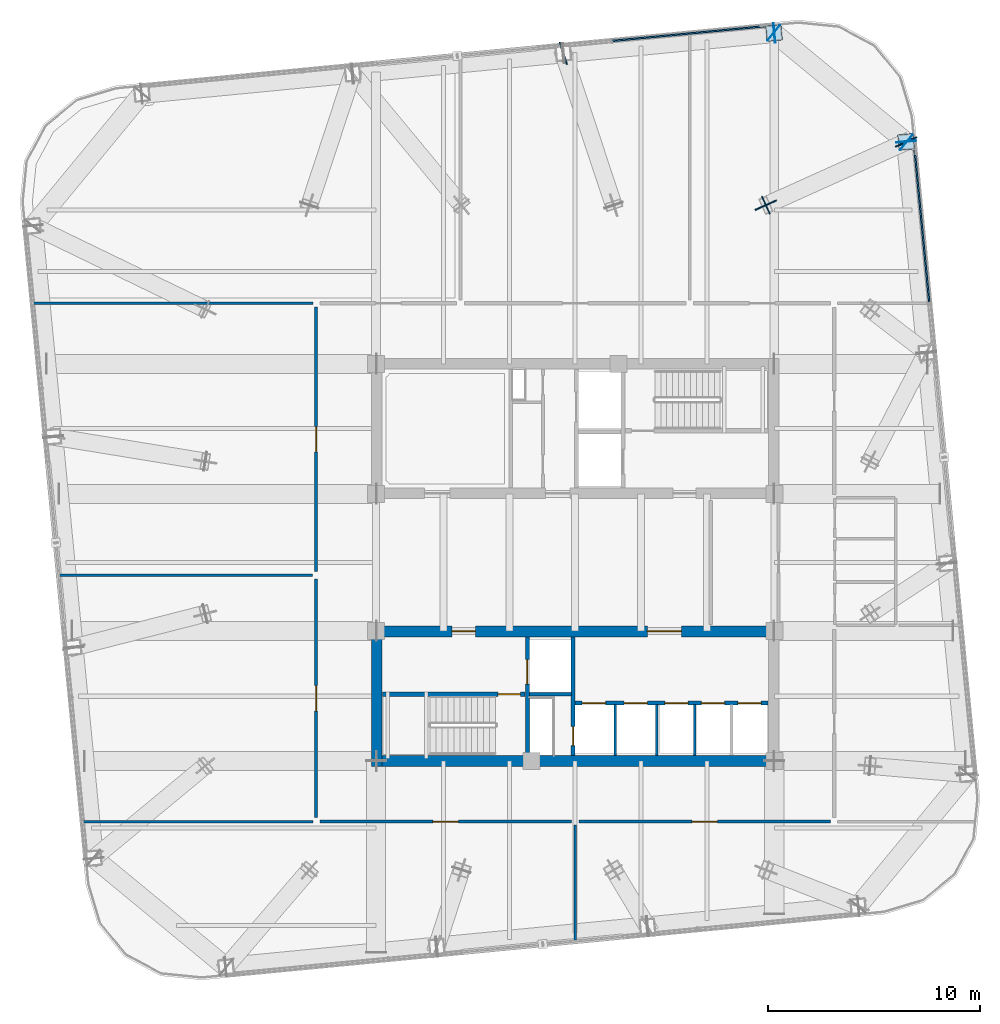
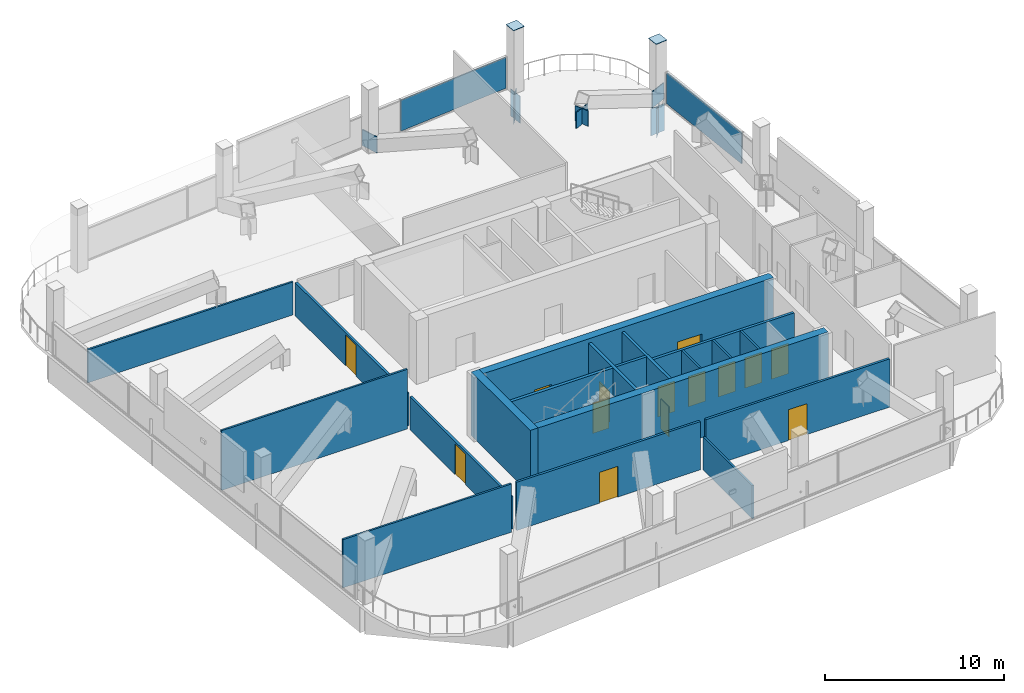
# One storey, part 16 of 22: 19 walls, 14 doors, 12 plates, 14 openings, 2 elements without a shape of their own.
"""IFC4 building model written with IfcOpenShell, lengths in metres."""

from ifc_helpers import new_model, si_unit, direction, frame, frame_2d, origin, origin_2d, place, context, subcontext, project, spatial, rectangle, extrude, material, layer, layer_set, type_object, element, fill, aggregate, save


model = new_model("IFC4")

# Units and contexts
model_context = context("Model", 3, precision=1e-05, world=origin(), true_north=direction((0.0, 1.0)))
body_context = subcontext(model_context, "Body", "Model", "MODEL_VIEW")
ifc_project = project(units=[si_unit("LENGTHUNIT", "METRE"), si_unit("AREAUNIT", "SQUARE_METRE"), si_unit("VOLUMEUNIT", "CUBIC_METRE"), si_unit("PLANEANGLEUNIT", "RADIAN"), si_unit("MASSUNIT", "GRAM", prefix="KILO")], contexts=[model_context])

# Site, building, storey
site_placement = place(None, origin())
site = spatial("IfcSite", under=ifc_project, at=site_placement, CompositionType="ELEMENT")
building_placement = place(site_placement, origin())
building = spatial("IfcBuilding", under=site, at=building_placement, Name="Qhalaya Broadcast Tower", CompositionType="ELEMENT")
storey_placement = place(building_placement, frame((0.0, 0.0, 183.60009765625)))
storey = spatial("IfcBuildingStorey", under=building, at=storey_placement, Name="L54", CompositionType="ELEMENT", Elevation=183.60009765625)

# Plates
ifc_material_1 = material(Name="Structural Steel ASTM A572 Grade 50", Category="steel")
ifc_layer_1 = layer(ifc_material_1, 0.054931640625, Name="Structural Steel ASTM A572 Grade 50")
ifc_layer_set_1 = layer_set([ifc_layer_1], Name="Structural Steel ASTM A572 Grade 50")
plate_type_1 = type_object("IfcPlateType", Name="Exoskeleton Diamond Node Gusset Plate NP-01", PredefinedType="USERDEFINED", material=ifc_layer_set_1)
for number, where, z_axis, x_axis, name in (
    (1, (15.58203125, 20.400390625, -0.000244140625), (0.0, 0.0, 1.0), (-0.911432003536, -0.41145072965, 0.0), "L54 Strut Foot Gusset Plate 09"),
    (2, (8.97998046875, 17.419921875, 2.7099609375), (0.0, 0.0, 1.0), (-0.911432003536, -0.41145072965, 0.0), "L54 Strut Head Gusset Plate 09"),
    (3, (-0.558837890625, 24.572509765625, -0.000244140625), (0.0, 0.0, 1.0), (0.314787734517, -0.949162094796, 0.0), "L54 Strut Foot Gusset Plate 10"),
):
    element("IfcPlate", number, at=place(storey_placement, frame(where, z_axis=z_axis, x_axis=x_axis)), inside=storey, type_object=plate_type_1, Name=name, ObjectType="GUSSET_PLATE", PredefinedType="USERDEFINED", context=body_context, shape_type="SweptSolid", body=[
        extrude(rectangle(XDim=1.10009765625, YDim=0.06005859375, at=origin_2d()), origin(), (0.0, 0.0, 1.0), 1.10009765625),
    ])
ifc_layer_2 = layer(ifc_material_1, 0.4599609375, Name="Structural Steel ASTM A572 Grade 50")
ifc_layer_set_2 = layer_set([ifc_layer_2], Name="Structural Steel ASTM A572 Grade 50")
plate_type_2 = type_object("IfcPlateType", Name="Hollow Box Member End Cap Plate CP-01", PredefinedType="USERDEFINED", material=ifc_layer_set_2)
for number, where, z_axis, x_axis, name in (
    (4, (15.58056640625, 20.416259765625, -2.0400390625), (0.0, 0.0, 1.0), (-0.995396198367, -0.09584575252, 0.0), "L54 Hollow Girder End Cap L54-SPR-07-B"),
    (5, (15.59423828125, 20.39013671875, -2.0400390625), (0.0, 0.0, 1.0), (-0.636078220278, -0.771624583388, 0.0), "L54 Hollow Girder End Cap L54-SPR-08-A"),
    (6, (9.349609375, 25.5380859375, -2.0400390625), (0.0, 0.0, 1.0), (-0.636078220278, -0.771624583388, 0.0), "L54 Hollow Girder End Cap L54-SPR-08-B"),
    (7, (9.3779296875, 25.529296875, -2.0400390625), (0.0, 0.0, 1.0), (0.09584575252, -0.995396198367, 0.0), "L54 Hollow Girder End Cap L54-SPR-09-A"),
):
    element("IfcPlate", number, at=place(storey_placement, frame(where, z_axis=z_axis, x_axis=x_axis)), inside=storey, type_object=plate_type_2, Name=name, ObjectType="COVER_PLATE", PredefinedType="USERDEFINED", context=body_context, shape_type="SweptSolid", body=[
        extrude(rectangle(XDim=0.93994140625, YDim=0.031982421875, at=origin_2d()), origin(), (0.0, 0.0, 1.0), 1.840087890625),
    ])
for number, where, z_axis, x_axis, name in (
    (8, (15.58203125, 20.400390625, 4.35009765625), (0.0, 0.0, 1.0), (-0.09584575252, 0.995396198367, 0.0), "L54 Hollow Box Column Top Cap Plate COL-EX08"),
    (9, (9.362060546875, 25.52783203125, 4.35009765625), (0.0, 0.0, 1.0), (0.995396198367, 0.09584575252, 0.0), "L54 Hollow Box Column Top Cap Plate COL-EX09"),
):
    element("IfcPlate", number, at=place(storey_placement, frame(where, z_axis=z_axis, x_axis=x_axis)), inside=storey, type_object=plate_type_2, Name=name, ObjectType="COVER_PLATE", PredefinedType="USERDEFINED", context=body_context, shape_type="SweptSolid", body=[
        extrude(rectangle(XDim=0.739990234375, YDim=0.739990234375, at=origin_2d()), origin(), (0.0, 0.0, 1.0), 0.031982421875),
    ])

# Curtain wall, plate
ifc_material_2 = material(Name="Fired Architectural Terracotta", Category="masonry")
ifc_layer_3 = layer(ifc_material_2, 0.219970703125, Name="Fired Architectural Terracotta")
ifc_layer_set_3 = layer_set([ifc_layer_3], Name="Fired Architectural Terracotta")
curtain_wall_type = type_object("IfcCurtainWallType", Name="Block-Cap Unitised Terracotta Spandrel Wall CW-07", PredefinedType="NOTDEFINED", material=ifc_layer_set_3)
curtain_wall_1_placement = place(storey_placement, origin())
curtain_wall_1 = element("IfcCurtainWall", 10, at=curtain_wall_1_placement, inside=storey, type_object=curtain_wall_type, Name="L54 Unitised Curtain Wall L54-CW-E", PredefinedType="NOTDEFINED")
ifc_layer_4 = layer(ifc_material_2, 0.080078125, Name="Fired Architectural Terracotta")
ifc_layer_set_4 = layer_set([ifc_layer_4], Name="Fired Architectural Terracotta")
plate_type_3 = type_object("IfcPlateType", Name="Insulated Terracotta Spandrel Panel TSP-07", PredefinedType="CURTAIN_PANEL", material=ifc_layer_set_4)
plate_1_placement = place(storey_placement, frame((16.32470703125, 16.443603515625, 0.074951171875), z_axis=(0.0, 0.0, 1.0), x_axis=(0.095846069906, -0.995396167806, 0.0)))
plate_1 = element("IfcPlate", 11, at=plate_1_placement, type_object=plate_type_3, Name="CW-07 panel 1.1", PredefinedType="CURTAIN_PANEL", context=body_context, shape_type="SweptSolid", body=[
    extrude(rectangle(XDim=7.193603515625, YDim=0.080078125, at=origin_2d()), origin(), (0.0, 0.0, 1.0), 2.10009765625),
])
aggregate(curtain_wall_1, [plate_1])

curtain_wall_2_placement = place(storey_placement, origin())
curtain_wall_2 = element("IfcCurtainWall", 12, at=curtain_wall_2_placement, inside=storey, type_object=curtain_wall_type, Name="L54 Unitised Curtain Wall L54-CW-N", PredefinedType="NOTDEFINED")
plate_2_placement = place(storey_placement, frame((5.336181640625, 25.501953125, 0.074951171875), z_axis=(0.0, 0.0, 1.0), x_axis=(0.995396167806, 0.095846069906, 0.0)))
plate_2 = element("IfcPlate", 13, at=plate_2_placement, type_object=plate_type_3, Name="CW-07 panel 4.1", PredefinedType="CURTAIN_PANEL", context=body_context, shape_type="SweptSolid", body=[
    extrude(rectangle(XDim=7.193603515625, YDim=0.080078125, at=origin_2d()), origin(), (0.0, 0.0, 1.0), 2.10009765625),
])
aggregate(curtain_wall_2, [plate_2])

# Plate
ifc_layer_5 = layer(ifc_material_1, 0.044921875, Name="Structural Steel ASTM A572 Grade 50")
ifc_layer_set_5 = layer_set([ifc_layer_5], Name="Structural Steel ASTM A572 Grade 50")
plate_type_4 = type_object("IfcPlateType", Name="Transfer Girder Web Stiffener Plate WS-01", PredefinedType="USERDEFINED", material=ifc_layer_set_5)
plate_3_placement = place(storey_placement, frame((8.97998046875, 17.419921875, 2.73486328125), z_axis=(0.0, 0.0, 1.0), x_axis=(0.41145072965, -0.911432003536, 0.0)))
element("IfcPlate", 14, at=plate_3_placement, inside=storey, type_object=plate_type_4, Name="L54 Strut Head Cross Diaphragm Plate 09", ObjectType="STIFFENER_PLATE", PredefinedType="USERDEFINED", context=body_context, shape_type="SweptSolid", body=[
    extrude(rectangle(XDim=0.89990234375, YDim=0.044921875, at=origin_2d()), origin(), (0.0, 0.0, 1.0), 1.050048828125),
])

# Wall, opening, door
ifc_material_3 = material(Name="Gypsum Acoustic Partition")
ifc_layer_6 = layer(ifc_material_3, 0.14990234375, Name="Gypsum Acoustic Partition")
ifc_layer_set_6 = layer_set([ifc_layer_6], Name="Gypsum Acoustic Partition")
wall_type_1 = type_object("IfcWallType", Name="Corridor & Tenancy Acoustic Partition 150", PredefinedType="PARTITIONING", material=ifc_layer_set_6)
wall_1_placement = place(storey_placement, frame((-12.02001953125, -11.60009765625, 0.0), z_axis=(0.0, 0.0, 1.0), x_axis=(1.0, 0.0, 0.0)))
wall_1 = element("IfcWall", 15, at=wall_1_placement, inside=storey, type_object=wall_type_1, Name="L54 Partition Wall W-COR-04", PredefinedType="PARTITIONING", context=body_context, shape_type="SweptSolid", body=[
    extrude(rectangle(XDim=11.840087890625, YDim=0.14990234375, at=frame_2d((5.919921875, 0.0))), origin(), (0.0, 0.0, 1.0), 3.287841796875),
])
opening_1_placement = place(wall_1_placement, frame((5.320068359375, 0.0, 0.0)))
opening_1 = element("IfcOpeningElement", 16, at=opening_1_placement, cuts=wall_1, Name="Opening D11", PredefinedType="OPENING", context=body_context, shape_type="SweptSolid", body=[
    extrude(rectangle(XDim=1.199951171875, YDim=2.10009765625, at=frame_2d((0.60009765625, 1.050048828125))), frame((0.0, 0.0869140625, 0.0), z_axis=(0.0, -1.0, 0.0), x_axis=(1.0, 0.0, 0.0)), (0.0, 0.0, 1.0), 0.173828125),
])
ifc_material_4 = material(Name="Anodised Aluminium Glazed Door", Category="aluminium")
door_type_1 = type_object("IfcDoorType", Name="Conference, Boardroom & Studio Control Door D11", OperationType="NOTDEFINED", PredefinedType="DOOR", material=ifc_material_4)
door_1_placement = place(opening_1_placement, origin())
door_1 = element("IfcDoor", 17, at=door_1_placement, inside=storey, type_object=door_type_1, Name="L54 Door D-RM04", OperationType="SINGLE_SWING_LEFT", OverallHeight=2.10009765625, OverallWidth=1.199951171875, PredefinedType="DOOR", context=body_context, shape_type="SweptSolid", body=[
    extrude(rectangle(XDim=1.199951171875, YDim=2.10009765625, at=frame_2d((0.60009765625, 1.050048828125))), frame((0.0, 0.02490234375, 0.0), z_axis=(0.0, -1.0, 0.0), x_axis=(1.0, 0.0, 0.0)), (0.0, 0.0, 1.0), 0.050048828125),
])
fill(opening_1, door_1)

wall_2_placement = place(storey_placement, frame((0.179931640625, -11.60009765625, 0.0), z_axis=(0.0, 0.0, 1.0), x_axis=(1.0, 0.0, 0.0)))
wall_2 = element("IfcWall", 18, at=wall_2_placement, inside=storey, type_object=wall_type_1, Name="L54 Partition Wall W-COR-05", PredefinedType="PARTITIONING", context=body_context, shape_type="SweptSolid", body=[
    extrude(rectangle(XDim=11.840087890625, YDim=0.14990234375, at=frame_2d((5.919921875, 0.0))), origin(), (0.0, 0.0, 1.0), 3.287841796875),
])
opening_2_placement = place(wall_2_placement, frame((5.320068359375, 0.0, 0.0)))
opening_2 = element("IfcOpeningElement", 19, at=opening_2_placement, cuts=wall_2, Name="Opening D11", PredefinedType="OPENING", context=body_context, shape_type="SweptSolid", body=[
    extrude(rectangle(XDim=1.199951171875, YDim=2.10009765625, at=frame_2d((0.60009765625, 1.050048828125))), frame((0.0, 0.0869140625, 0.0), z_axis=(0.0, -1.0, 0.0), x_axis=(1.0, 0.0, 0.0)), (0.0, 0.0, 1.0), 0.173828125),
])
door_2_placement = place(opening_2_placement, origin())
door_2 = element("IfcDoor", 20, at=door_2_placement, inside=storey, type_object=door_type_1, Name="L54 Door D-RM05", OperationType="SINGLE_SWING_RIGHT", OverallHeight=2.10009765625, OverallWidth=1.199951171875, PredefinedType="DOOR", context=body_context, shape_type="SweptSolid", body=[
    extrude(rectangle(XDim=1.199951171875, YDim=2.10009765625, at=frame_2d((0.60009765625, 1.050048828125))), frame((0.0, 0.02490234375, 0.0), z_axis=(0.0, -1.0, 0.0), x_axis=(1.0, 0.0, 0.0)), (0.0, 0.0, 1.0), 0.050048828125),
])
fill(opening_2, door_2)

wall_3_placement = place(storey_placement, frame((-12.199951171875, -11.419921875, 0.0), z_axis=(0.0, 0.0, 1.0), x_axis=(0.0, 1.0, 0.0)))
wall_3 = element("IfcWall", 21, at=wall_3_placement, inside=storey, type_object=wall_type_1, Name="L54 Partition Wall W-COR-06", PredefinedType="PARTITIONING", context=body_context, shape_type="SweptSolid", body=[
    extrude(rectangle(XDim=11.239990234375, YDim=0.14990234375, at=frame_2d((5.6201171875, 0.0))), origin(), (0.0, 0.0, 1.0), 2.25),
])
opening_3_placement = place(wall_3_placement, frame((5.02001953125, 0.0, 0.0)))
opening_3 = element("IfcOpeningElement", 22, at=opening_3_placement, cuts=wall_3, Name="Opening D11", PredefinedType="OPENING", context=body_context, shape_type="SweptSolid", body=[
    extrude(rectangle(XDim=1.199951171875, YDim=2.10009765625, at=frame_2d((0.60009765625, 1.050048828125))), frame((0.0, 0.0869140625, 0.0), z_axis=(0.0, -1.0, 0.0), x_axis=(1.0, 0.0, 0.0)), (0.0, 0.0, 1.0), 0.173828125),
])
door_3_placement = place(opening_3_placement, origin())
door_3 = element("IfcDoor", 23, at=door_3_placement, inside=storey, type_object=door_type_1, Name="L54 Door D-RM06", OperationType="SINGLE_SWING_LEFT", OverallHeight=2.10009765625, OverallWidth=1.199951171875, PredefinedType="DOOR", context=body_context, shape_type="SweptSolid", body=[
    extrude(rectangle(XDim=1.199951171875, YDim=2.10009765625, at=frame_2d((0.60009765625, 1.050048828125))), frame((0.0, 0.02490234375, 0.0), z_axis=(0.0, -1.0, 0.0), x_axis=(1.0, 0.0, 0.0)), (0.0, 0.0, 1.0), 0.050048828125),
])
fill(opening_3, door_3)

wall_4_placement = place(storey_placement, frame((-12.199951171875, 0.179931640625, 0.0), z_axis=(0.0, 0.0, 1.0), x_axis=(0.0, 1.0, 0.0)))
wall_4 = element("IfcWall", 24, at=wall_4_placement, inside=storey, type_object=wall_type_1, Name="L54 Partition Wall W-COR-07", PredefinedType="PARTITIONING", context=body_context, shape_type="SweptSolid", body=[
    extrude(rectangle(XDim=12.440185546875, YDim=0.14990234375, at=frame_2d((6.22021484375, 0.0))), origin(), (0.0, 0.0, 1.0), 2.25),
])
opening_4_placement = place(wall_4_placement, frame((5.6201171875, 0.0, 0.0)))
opening_4 = element("IfcOpeningElement", 25, at=opening_4_placement, cuts=wall_4, Name="Opening D11", PredefinedType="OPENING", context=body_context, shape_type="SweptSolid", body=[
    extrude(rectangle(XDim=1.199951171875, YDim=2.10009765625, at=frame_2d((0.60009765625, 1.050048828125))), frame((0.0, 0.0869140625, 0.0), z_axis=(0.0, -1.0, 0.0), x_axis=(1.0, 0.0, 0.0)), (0.0, 0.0, 1.0), 0.173828125),
])
door_4_placement = place(opening_4_placement, origin())
door_4 = element("IfcDoor", 26, at=door_4_placement, inside=storey, type_object=door_type_1, Name="L54 Door D-RM07", OperationType="SINGLE_SWING_RIGHT", OverallHeight=2.10009765625, OverallWidth=1.199951171875, PredefinedType="DOOR", context=body_context, shape_type="SweptSolid", body=[
    extrude(rectangle(XDim=1.199951171875, YDim=2.10009765625, at=frame_2d((0.60009765625, 1.050048828125))), frame((0.0, 0.02490234375, 0.0), z_axis=(0.0, -1.0, 0.0), x_axis=(1.0, 0.0, 0.0)), (0.0, 0.0, 1.0), 0.050048828125),
])
fill(opening_4, door_4)

ifc_material_5 = material(Name="Concrete C50/60", Category="concrete")
ifc_layer_7 = layer(ifc_material_5, 0.199951171875, Name="Concrete C50/60")
ifc_layer_set_7 = layer_set([ifc_layer_7], Name="Concrete C50/60")
wall_type_2 = type_object("IfcWallType", Name="Load-Bearing Stair Shaft Wall 200", PredefinedType="SHEAR", material=ifc_layer_set_7)
wall_5_placement = place(storey_placement, frame((-9.080078125, -5.60498046875, 0.0), z_axis=(0.0, 0.0, 1.0), x_axis=(1.0, 0.0, 0.0)))
wall_5 = element("IfcWall", 27, at=wall_5_placement, inside=storey, type_object=wall_type_2, Name="L54 Stair Core Shear Wall SCW-ST2", PredefinedType="SHEAR", context=body_context, shape_type="SweptSolid", body=[
    extrude(rectangle(XDim=6.719970703125, YDim=0.199951171875, at=frame_2d((3.35986328125, 0.0))), origin(), (0.0, 0.0, 1.0), 4.06982421875),
])
opening_5_placement = place(wall_5_placement, frame((5.449951171875, 0.0, 0.0)))
opening_5 = element("IfcOpeningElement", 28, at=opening_5_placement, cuts=wall_5, Name="Opening D03", PredefinedType="OPENING", context=body_context, shape_type="SweptSolid", body=[
    extrude(rectangle(XDim=1.050048828125, YDim=2.080078125, at=frame_2d((0.52490234375, 1.0400390625))), frame((0.0, 0.112060546875, 0.0), z_axis=(0.0, -1.0, 0.0), x_axis=(1.0, 0.0, 0.0)), (0.0, 0.0, 1.0), 0.223876953125),
])
ifc_material_6 = material(Name="Fire-Rated Steel Door", Category="steel")
door_type_2 = type_object("IfcDoorType", Name="Core Stair Protected Fire Door D03", OperationType="NOTDEFINED", PredefinedType="DOOR", material=ifc_material_6)
door_5_placement = place(opening_5_placement, origin())
door_5 = element("IfcDoor", 29, at=door_5_placement, inside=storey, type_object=door_type_2, Name="L54 Door D-SST2", OperationType="SINGLE_SWING_RIGHT", OverallHeight=2.080078125, OverallWidth=1.050048828125, PredefinedType="DOOR", context=body_context, shape_type="SweptSolid", body=[
    extrude(rectangle(XDim=1.050048828125, YDim=2.080078125, at=frame_2d((0.52490234375, 1.0400390625))), frame((0.0, 0.02490234375, 0.0), z_axis=(0.0, -1.0, 0.0), x_axis=(1.0, 0.0, 0.0)), (0.0, 0.0, 1.0), 0.050048828125),
])
fill(opening_5, door_5)

wall_6_placement = place(storey_placement, frame((-2.25, -8.47998046875, 0.0), z_axis=(0.0, 0.0, 1.0), x_axis=(0.0, 1.0, 0.0)))
wall_6 = element("IfcWall", 30, at=wall_6_placement, inside=storey, type_object=wall_type_2, Name="L54 Stair Core Shear Wall SCW-FF", PredefinedType="SHEAR", context=body_context, shape_type="SweptSolid", body=[
    extrude(rectangle(XDim=5.56005859375, YDim=0.199951171875, at=frame_2d((2.780029296875, 0.0))), origin(), (0.0, 0.0, 1.0), 4.06982421875),
])
opening_6_placement = place(wall_6_placement, frame((3.35009765625, 0.0, 0.0)))
opening_6 = element("IfcOpeningElement", 31, at=opening_6_placement, cuts=wall_6, Name="Opening LD2", PredefinedType="OPENING", context=body_context, shape_type="SweptSolid", body=[
    extrude(rectangle(XDim=1.14990234375, YDim=2.080078125, at=frame_2d((0.574951171875, 1.0400390625))), frame((0.0, 0.112060546875, 0.0), z_axis=(0.0, -1.0, 0.0), x_axis=(1.0, 0.0, 0.0)), (0.0, 0.0, 1.0), 0.223876953125),
])
ifc_material_7 = material(Name="Brushed Stainless Steel Lift Door", Category="steel")
door_type_3 = type_object("IfcDoorType", Name="Firefighting Lift Sliding Landing Door LD2", OperationType="DOUBLE_DOOR_SLIDING", PredefinedType="DOOR", material=ifc_material_7)
door_6_placement = place(opening_6_placement, origin())
door_6 = element("IfcDoor", 32, at=door_6_placement, inside=storey, type_object=door_type_3, Name="L54 Door LD-FF2", OperationType="DOUBLE_DOOR_SLIDING", OverallHeight=2.080078125, OverallWidth=1.14990234375, PredefinedType="DOOR", context=body_context, shape_type="SweptSolid", body=[
    extrude(rectangle(XDim=1.14990234375, YDim=2.080078125, at=frame_2d((0.574951171875, 1.0400390625))), frame((0.0, 0.02490234375, 0.0), z_axis=(0.0, -1.0, 0.0), x_axis=(1.0, 0.0, 0.0)), (0.0, 0.0, 1.0), 0.050048828125),
])
fill(opening_6, door_6)

# Wall
ifc_layer_8 = layer(ifc_material_5, 0.5, Name="Concrete C50/60")
ifc_layer_set_8 = layer_set([ifc_layer_8], Name="Concrete C50/60")
wall_type_3 = type_object("IfcWallType", Name="Mid Split-Core Shear Wall 500", PredefinedType="SHEAR", material=ifc_layer_set_8)
wall_7_placement = place(storey_placement, frame((-9.60009765625, -8.75, 0.0), z_axis=(0.0, 0.0, 1.0), x_axis=(1.0, 0.0, 0.0)))
element("IfcWall", 33, at=wall_7_placement, inside=storey, type_object=wall_type_3, Name="L54 Split-Core Shear Wall CW-SS", PredefinedType="SHEAR", context=body_context, shape_type="SweptSolid", body=[
    extrude(rectangle(XDim=19.2001953125, YDim=0.5, at=frame_2d((9.60009765625, 0.0))), origin(), (0.0, 0.0, 1.0), 4.349853515625),
])

# Wall, openings, doors
wall_8_placement = place(storey_placement, frame((-9.60009765625, -2.64990234375, 0.0), z_axis=(0.0, 0.0, 1.0), x_axis=(1.0, 0.0, 0.0)))
wall_8 = element("IfcWall", 34, at=wall_8_placement, inside=storey, type_object=wall_type_3, Name="L54 Split-Core Shear Wall CW-SN", PredefinedType="SHEAR", context=body_context, shape_type="SweptSolid", body=[
    extrude(rectangle(XDim=19.2001953125, YDim=0.5, at=frame_2d((9.60009765625, 0.0))), origin(), (0.0, 0.0, 1.0), 4.349853515625),
])
opening_7_placement = place(wall_8_placement, frame((3.800048828125, 0.0, 0.0)))
opening_7 = element("IfcOpeningElement", 35, at=opening_7_placement, cuts=wall_8, Name="Opening D04", PredefinedType="OPENING", context=body_context, shape_type="SweptSolid", body=[
    extrude(rectangle(XDim=1.10009765625, YDim=2.080078125, at=frame_2d((0.550048828125, 1.0400390625))), frame((0.0, 0.261962890625, 0.0), z_axis=(0.0, -1.0, 0.0), x_axis=(1.0, 0.0, 0.0)), (0.0, 0.0, 1.0), 0.52392578125),
])
opening_8_placement = place(wall_8_placement, frame((13.0, 0.0, 0.0)))
opening_8 = element("IfcOpeningElement", 36, at=opening_8_placement, cuts=wall_8, Name="Opening D07", PredefinedType="OPENING", context=body_context, shape_type="SweptSolid", body=[
    extrude(rectangle(XDim=1.60009765625, YDim=2.1201171875, at=frame_2d((0.800048828125, 1.06005859375))), frame((0.0, 0.261962890625, 0.0), z_axis=(0.0, -1.0, 0.0), x_axis=(1.0, 0.0, 0.0)), (0.0, 0.0, 1.0), 0.52392578125),
])
door_type_4 = type_object("IfcDoorType", Name="Firefighting Lobby Rated Door D04", OperationType="NOTDEFINED", PredefinedType="DOOR", material=ifc_material_6)
door_7_placement = place(opening_7_placement, origin())
door_7 = element("IfcDoor", 37, at=door_7_placement, inside=storey, type_object=door_type_4, Name="L54 Door D-SFF", OperationType="SINGLE_SWING_LEFT", OverallHeight=2.080078125, OverallWidth=1.10009765625, PredefinedType="DOOR", context=body_context, shape_type="SweptSolid", body=[
    extrude(rectangle(XDim=1.10009765625, YDim=2.080078125, at=frame_2d((0.550048828125, 1.0400390625))), frame((0.0, 0.02490234375, 0.0), z_axis=(0.0, -1.0, 0.0), x_axis=(1.0, 0.0, 0.0)), (0.0, 0.0, 1.0), 0.050048828125),
])
fill(opening_7, door_7)
door_type_5 = type_object("IfcDoorType", Name="Passenger Lift Lobby Double Glazed Door D07", OperationType="DOUBLE_DOOR_SINGLE_SWING", PredefinedType="DOOR", material=ifc_material_4)
door_8_placement = place(opening_8_placement, origin())
door_8 = element("IfcDoor", 38, at=door_8_placement, inside=storey, type_object=door_type_5, Name="L54 Door D-SPLL", OperationType="DOUBLE_DOOR_SINGLE_SWING", OverallHeight=2.1201171875, OverallWidth=1.60009765625, PredefinedType="DOOR", context=body_context, shape_type="SweptSolid", body=[
    extrude(rectangle(XDim=1.60009765625, YDim=2.1201171875, at=frame_2d((0.800048828125, 1.06005859375))), frame((0.0, 0.02490234375, 0.0), z_axis=(0.0, -1.0, 0.0), x_axis=(1.0, 0.0, 0.0)), (0.0, 0.0, 1.0), 0.050048828125),
])
fill(opening_8, door_8)

# Walls
wall_9_placement = place(storey_placement, frame((-9.35009765625, -9.0, 0.0), z_axis=(0.0, 0.0, 1.0), x_axis=(0.0, 1.0, 0.0)))
element("IfcWall", 39, at=wall_9_placement, inside=storey, type_object=wall_type_3, Name="L54 Split-Core Shear Wall CW-SW", PredefinedType="SHEAR", context=body_context, shape_type="SweptSolid", body=[
    extrude(rectangle(XDim=6.60009765625, YDim=0.5, at=frame_2d((3.300048828125, 0.0))), origin(), (0.0, 0.0, 1.0), 4.349853515625),
])
ifc_layer_9 = layer(ifc_material_3, 0.1201171875, Name="Gypsum Acoustic Partition")
ifc_layer_set_9 = layer_set([ifc_layer_9], Name="Gypsum Acoustic Partition")
wall_type_4 = type_object("IfcWallType", Name="Office, Booth & Sanitary Partition 120", PredefinedType="PARTITIONING", material=ifc_layer_set_9)
for number, where, z_axis, x_axis, name in (
    (40, (1.8798828125, -8.47998046875, 0.0), (0.0, 0.0, 1.0), (0.0, 1.0, 0.0), "L54 Partition Wall SCW-MD4"),
    (41, (3.85009765625, -8.47998046875, 0.0), (0.0, 0.0, 1.0), (0.0, 1.0, 0.0), "L54 Partition Wall SCW-MD5"),
    (42, (5.639892578125, -8.47998046875, 0.0), (0.0, 0.0, 1.0), (0.0, 1.0, 0.0), "L54 Partition Wall SCW-HD6"),
):
    element("IfcWall", number, at=place(storey_placement, frame(where, z_axis=z_axis, x_axis=x_axis)), inside=storey, type_object=wall_type_4, Name=name, PredefinedType="PARTITIONING", context=body_context, shape_type="SweptSolid", body=[
        extrude(rectangle(XDim=2.3798828125, YDim=0.1201171875, at=frame_2d((1.18994140625, 0.0))), origin(), (0.0, 0.0, 1.0), 4.06982421875),
    ])
wall_10_placement = place(storey_placement, frame((-25.558837890625, 12.800048828125, 0.0), z_axis=(0.0, 0.0, 1.0), x_axis=(1.0, 0.0, 0.0)))
element("IfcWall", 43, at=wall_10_placement, inside=storey, type_object=wall_type_4, Name="L54 Partition Wall W-BNDW1", PredefinedType="PARTITIONING", context=body_context, shape_type="SweptSolid", body=[
    extrude(rectangle(XDim=13.21875, YDim=0.1201171875, at=frame_2d((6.609375, 0.0))), origin(), (0.0, 0.0, 1.0), 2.25),
])
wall_11_placement = place(storey_placement, frame((-23.20947265625, -11.60009765625, 0.0), z_axis=(0.0, 0.0, 1.0), x_axis=(1.0, 0.0, 0.0)))
element("IfcWall", 44, at=wall_11_placement, inside=storey, type_object=wall_type_4, Name="L54 Partition Wall W-BNDW2", PredefinedType="PARTITIONING", context=body_context, shape_type="SweptSolid", body=[
    extrude(rectangle(XDim=10.869384765625, YDim=0.1201171875, at=frame_2d((5.4345703125, 0.0))), origin(), (0.0, 0.0, 1.0), 3.287841796875),
])
wall_12_placement = place(storey_placement, frame((0.0, -17.246337890625, 0.0), z_axis=(0.0, 0.0, 1.0), x_axis=(0.0, 1.0, 0.0)))
element("IfcWall", 45, at=wall_12_placement, inside=storey, type_object=wall_type_4, Name="L54 Partition Wall W-DIVS1", PredefinedType="PARTITIONING", context=body_context, shape_type="SweptSolid", body=[
    extrude(rectangle(XDim=5.486328125, YDim=0.1201171875, at=frame_2d((2.7431640625, 0.0))), origin(), (0.0, 0.0, 1.0), 2.25),
])
wall_13_placement = place(storey_placement, frame((-24.326416015625, 0.0, 0.0), z_axis=(0.0, 0.0, 1.0), x_axis=(1.0, 0.0, 0.0)))
element("IfcWall", 46, at=wall_13_placement, inside=storey, type_object=wall_type_4, Name="L54 Partition Wall W-DIVW1", PredefinedType="PARTITIONING", context=body_context, shape_type="SweptSolid", body=[
    extrude(rectangle(XDim=11.96630859375, YDim=0.1201171875, at=frame_2d((5.983154296875, 0.0))), origin(), (0.0, 0.0, 1.0), 4.06982421875),
])

# Wall, opening, door
ifc_layer_10 = layer(ifc_material_3, 0.175048828125, Name="Gypsum Acoustic Partition")
ifc_layer_set_10 = layer_set([ifc_layer_10], Name="Gypsum Acoustic Partition")
wall_type_5 = type_object("IfcWallType", Name="Shaft & Riser Fire Partition 175", PredefinedType="PARTITIONING", material=ifc_layer_set_10)
wall_14_placement = place(storey_placement, frame((-0.10009765625, -8.47998046875, 0.0), z_axis=(0.0, 0.0, 1.0), x_axis=(0.0, 1.0, 0.0)))
wall_14 = element("IfcWall", 47, at=wall_14_placement, inside=storey, type_object=wall_type_5, Name="L54 Partition Wall SCW-FFE", PredefinedType="PARTITIONING", context=body_context, shape_type="SweptSolid", body=[
    extrude(rectangle(XDim=5.56005859375, YDim=0.175048828125, at=frame_2d((2.780029296875, 0.0))), origin(), (0.0, 0.0, 1.0), 4.06982421875),
])
opening_9_placement = place(wall_14_placement, frame((0.449951171875, 0.0, 0.0)))
opening_9 = element("IfcOpeningElement", 48, at=opening_9_placement, cuts=wall_14, Name="Opening D06", PredefinedType="OPENING", context=body_context, shape_type="SweptSolid", body=[
    extrude(rectangle(XDim=0.89990234375, YDim=2.050048828125, at=frame_2d((0.449951171875, 1.02490234375))), frame((0.0, 0.099609375, 0.0), z_axis=(0.0, -1.0, 0.0), x_axis=(1.0, 0.0, 0.0)), (0.0, 0.0, 1.0), 0.198974609375),
])
door_type_6 = type_object("IfcDoorType", Name="Riser & Electrical Shaft Access Door D06", OperationType="NOTDEFINED", PredefinedType="DOOR", material=ifc_material_6)
door_9_placement = place(opening_9_placement, origin())
door_9 = element("IfcDoor", 49, at=door_9_placement, inside=storey, type_object=door_type_6, Name="L54 Riser Shaft Access Door D-SRSR", OperationType="SINGLE_SWING_LEFT", OverallHeight=2.050048828125, OverallWidth=0.89990234375, PredefinedType="DOOR", context=body_context, shape_type="SweptSolid", body=[
    extrude(rectangle(XDim=0.89990234375, YDim=2.050048828125, at=frame_2d((0.449951171875, 1.02490234375))), frame((0.0, 0.02490234375, 0.0), z_axis=(0.0, -1.0, 0.0), x_axis=(1.0, 0.0, 0.0)), (0.0, 0.0, 1.0), 0.050048828125),
])
fill(opening_9, door_9)

# Wall
wall_15_placement = place(storey_placement, frame((-2.14990234375, -5.60009765625, 0.0), z_axis=(0.0, 0.0, 1.0), x_axis=(1.0, 0.0, 0.0)))
element("IfcWall", 50, at=wall_15_placement, inside=storey, type_object=wall_type_5, Name="L54 Partition Wall SCW-FFM", PredefinedType="PARTITIONING", context=body_context, shape_type="SweptSolid", body=[
    extrude(rectangle(XDim=1.969970703125, YDim=0.175048828125, at=frame_2d((0.98486328125, 0.0))), origin(), (0.0, 0.0, 1.0), 4.06982421875),
])

# Wall, openings, doors
wall_16_placement = place(storey_placement, frame((0.0, -6.02001953125, 0.0), z_axis=(0.0, 0.0, 1.0), x_axis=(1.0, 0.0, 0.0)))
wall_16 = element("IfcWall", 51, at=wall_16_placement, inside=storey, type_object=wall_type_5, Name="L54 Partition Wall SCW-SLB", PredefinedType="PARTITIONING", context=body_context, shape_type="SweptSolid", body=[
    extrude(rectangle(XDim=9.080078125, YDim=0.175048828125, at=frame_2d((4.5400390625, 0.0))), origin(), (0.0, 0.0, 1.0), 4.06982421875),
])
opening_10_placement = place(wall_16_placement, frame((0.330078125, 0.0, 0.0)))
opening_10 = element("IfcOpeningElement", 52, at=opening_10_placement, cuts=wall_16, Name="Opening LD1", PredefinedType="OPENING", context=body_context, shape_type="SweptSolid", body=[
    extrude(rectangle(XDim=1.10009765625, YDim=2.06005859375, at=frame_2d((0.550048828125, 1.030029296875))), frame((0.0, 0.099609375, 0.0), z_axis=(0.0, -1.0, 0.0), x_axis=(1.0, 0.0, 0.0)), (0.0, 0.0, 1.0), 0.198974609375),
])
opening_11_placement = place(wall_16_placement, frame((2.300048828125, 0.0, 0.0)))
opening_11 = element("IfcOpeningElement", 53, at=opening_11_placement, cuts=wall_16, Name="Opening LD1", PredefinedType="OPENING", context=body_context, shape_type="SweptSolid", body=[
    extrude(rectangle(XDim=1.10009765625, YDim=2.06005859375, at=frame_2d((0.550048828125, 1.030029296875))), frame((0.0, 0.099609375, 0.0), z_axis=(0.0, -1.0, 0.0), x_axis=(1.0, 0.0, 0.0)), (0.0, 0.0, 1.0), 0.198974609375),
])
opening_12_placement = place(wall_16_placement, frame((4.219970703125, 0.0, 0.0)))
opening_12 = element("IfcOpeningElement", 54, at=opening_12_placement, cuts=wall_16, Name="Opening LD1", PredefinedType="OPENING", context=body_context, shape_type="SweptSolid", body=[
    extrude(rectangle(XDim=1.10009765625, YDim=2.06005859375, at=frame_2d((0.550048828125, 1.030029296875))), frame((0.0, 0.099609375, 0.0), z_axis=(0.0, -1.0, 0.0), x_axis=(1.0, 0.0, 0.0)), (0.0, 0.0, 1.0), 0.198974609375),
])
opening_13_placement = place(wall_16_placement, frame((5.93994140625, 0.0, 0.0)))
opening_13 = element("IfcOpeningElement", 55, at=opening_13_placement, cuts=wall_16, Name="Opening LD1", PredefinedType="OPENING", context=body_context, shape_type="SweptSolid", body=[
    extrude(rectangle(XDim=1.10009765625, YDim=2.06005859375, at=frame_2d((0.550048828125, 1.030029296875))), frame((0.0, 0.099609375, 0.0), z_axis=(0.0, -1.0, 0.0), x_axis=(1.0, 0.0, 0.0)), (0.0, 0.0, 1.0), 0.198974609375),
])
opening_14_placement = place(wall_16_placement, frame((7.659912109375, 0.0, 0.0)))
opening_14 = element("IfcOpeningElement", 56, at=opening_14_placement, cuts=wall_16, Name="Opening LD1", PredefinedType="OPENING", context=body_context, shape_type="SweptSolid", body=[
    extrude(rectangle(XDim=1.10009765625, YDim=2.06005859375, at=frame_2d((0.550048828125, 1.030029296875))), frame((0.0, 0.099609375, 0.0), z_axis=(0.0, -1.0, 0.0), x_axis=(1.0, 0.0, 0.0)), (0.0, 0.0, 1.0), 0.198974609375),
])
door_type_7 = type_object("IfcDoorType", Name="Passenger Lift Sliding Landing Door LD1", OperationType="DOUBLE_DOOR_SLIDING", PredefinedType="DOOR", material=ifc_material_7)
door_10_placement = place(opening_10_placement, origin())
door_10 = element("IfcDoor", 57, at=door_10_placement, inside=storey, type_object=door_type_7, Name="L54 Door LD-P4", OperationType="DOUBLE_DOOR_SLIDING", OverallHeight=2.06005859375, OverallWidth=1.10009765625, PredefinedType="DOOR", context=body_context, shape_type="SweptSolid", body=[
    extrude(rectangle(XDim=1.10009765625, YDim=2.06005859375, at=frame_2d((0.550048828125, 1.030029296875))), frame((0.0, 0.02490234375, 0.0), z_axis=(0.0, -1.0, 0.0), x_axis=(1.0, 0.0, 0.0)), (0.0, 0.0, 1.0), 0.050048828125),
])
fill(opening_10, door_10)
door_11_placement = place(opening_11_placement, origin())
door_11 = element("IfcDoor", 58, at=door_11_placement, inside=storey, type_object=door_type_7, Name="L54 Door LD-P5", OperationType="DOUBLE_DOOR_SLIDING", OverallHeight=2.06005859375, OverallWidth=1.10009765625, PredefinedType="DOOR", context=body_context, shape_type="SweptSolid", body=[
    extrude(rectangle(XDim=1.10009765625, YDim=2.06005859375, at=frame_2d((0.550048828125, 1.030029296875))), frame((0.0, 0.02490234375, 0.0), z_axis=(0.0, -1.0, 0.0), x_axis=(1.0, 0.0, 0.0)), (0.0, 0.0, 1.0), 0.050048828125),
])
fill(opening_11, door_11)
door_12_placement = place(opening_12_placement, origin())
door_12 = element("IfcDoor", 59, at=door_12_placement, inside=storey, type_object=door_type_7, Name="L54 Door LD-P6", OperationType="DOUBLE_DOOR_SLIDING", OverallHeight=2.06005859375, OverallWidth=1.10009765625, PredefinedType="DOOR", context=body_context, shape_type="SweptSolid", body=[
    extrude(rectangle(XDim=1.10009765625, YDim=2.06005859375, at=frame_2d((0.550048828125, 1.030029296875))), frame((0.0, 0.02490234375, 0.0), z_axis=(0.0, -1.0, 0.0), x_axis=(1.0, 0.0, 0.0)), (0.0, 0.0, 1.0), 0.050048828125),
])
fill(opening_12, door_12)
door_13_placement = place(opening_13_placement, origin())
door_13 = element("IfcDoor", 60, at=door_13_placement, inside=storey, type_object=door_type_7, Name="L54 Door LD-P7", OperationType="DOUBLE_DOOR_SLIDING", OverallHeight=2.06005859375, OverallWidth=1.10009765625, PredefinedType="DOOR", context=body_context, shape_type="SweptSolid", body=[
    extrude(rectangle(XDim=1.10009765625, YDim=2.06005859375, at=frame_2d((0.550048828125, 1.030029296875))), frame((0.0, 0.02490234375, 0.0), z_axis=(0.0, -1.0, 0.0), x_axis=(1.0, 0.0, 0.0)), (0.0, 0.0, 1.0), 0.050048828125),
])
fill(opening_13, door_13)
door_14_placement = place(opening_14_placement, origin())
door_14 = element("IfcDoor", 61, at=door_14_placement, inside=storey, type_object=door_type_7, Name="L54 Door LD-P8", OperationType="DOUBLE_DOOR_SLIDING", OverallHeight=2.06005859375, OverallWidth=1.10009765625, PredefinedType="DOOR", context=body_context, shape_type="SweptSolid", body=[
    extrude(rectangle(XDim=1.10009765625, YDim=2.06005859375, at=frame_2d((0.550048828125, 1.030029296875))), frame((0.0, 0.02490234375, 0.0), z_axis=(0.0, -1.0, 0.0), x_axis=(1.0, 0.0, 0.0)), (0.0, 0.0, 1.0), 0.050048828125),
])
fill(opening_14, door_14)

save(model, "model.ifc")
